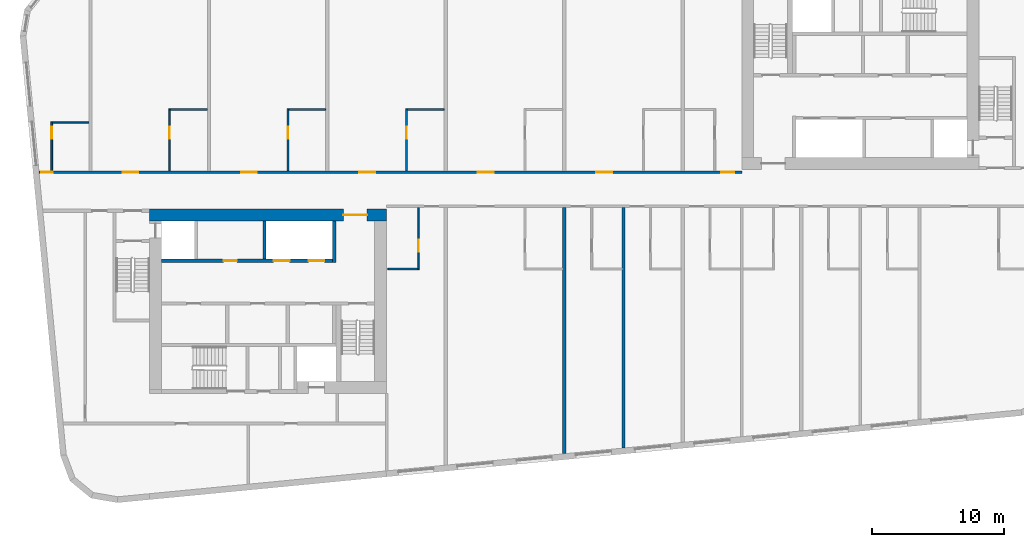
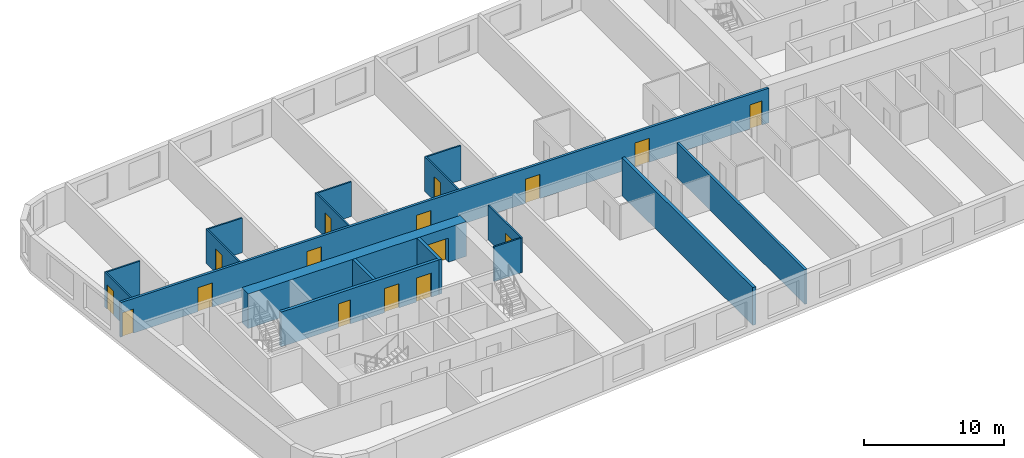
# One storey, part 3 of 11: 17 walls, 16 doors, 16 openings.
"""IFC4 building model written with IfcOpenShell, lengths in metres."""

from ifc_helpers import new_model, si_unit, direction, frame, frame_2d, origin, place, context, subcontext, project, spatial, rectangle, extrude, material, layer, layer_set, type_object, element, fill, save


model = new_model("IFC4")

# Units and contexts
model_context = context("Model", 3, precision=1e-05, world=origin(), true_north=direction((0.0, 1.0)))
body_context = subcontext(model_context, "Body", "Model", "MODEL_VIEW")
ifc_project = project(units=[si_unit("LENGTHUNIT", "METRE"), si_unit("AREAUNIT", "SQUARE_METRE"), si_unit("VOLUMEUNIT", "CUBIC_METRE"), si_unit("PLANEANGLEUNIT", "RADIAN"), si_unit("MASSUNIT", "GRAM", prefix="KILO")], contexts=[model_context])

# Site, building, storey
site_placement = place(None, origin())
site = spatial("IfcSite", under=ifc_project, at=site_placement, CompositionType="ELEMENT")
building_placement = place(site_placement, origin())
building = spatial("IfcBuilding", under=site, at=building_placement, Name="Kajstack Hotel Tower", CompositionType="ELEMENT")
storey_placement = place(building_placement, frame((0.0, 0.0, 281.699951171875)))
storey = spatial("IfcBuildingStorey", under=building, at=storey_placement, Name="L70", CompositionType="ELEMENT", Elevation=281.699951171875)

# Wall, opening, door
ifc_material_1 = material(Name="Concrete C60/75", Category="concrete")
ifc_layer_1 = layer(ifc_material_1, 0.89990234375)
ifc_layer_set_1 = layer_set([ifc_layer_1], Name="Core wall 900")
wall_type_1 = type_object("IfcWallType", Name="Core wall 900", PredefinedType="SHEAR", material=ifc_layer_set_1)
wall_1_placement = place(storey_placement, frame((-31.5, -1.949951171875, 0.0), z_axis=(0.0, 0.0, 1.0), x_axis=(1.0, 0.0, 0.0)))
wall_1 = element("IfcWall", 1, at=wall_1_placement, inside=storey, type_object=wall_type_1, Name="Core wall W RN", PredefinedType="SHEAR", context=body_context, shape_type="SweptSolid", body=[
    extrude(rectangle(XDim=18.0, YDim=0.89990234375, at=frame_2d((9.0, 0.0))), origin(), (0.0, 0.0, 1.0), 3.02001953125),
])
opening_1_placement = place(wall_1_placement, frame((14.72509765625, 0.0, 0.0)))
opening_1 = element("IfcOpeningElement", 2, at=opening_1_placement, cuts=wall_1, Name="Opening 70W05", PredefinedType="OPENING", context=body_context, shape_type="SweptSolid", body=[
    extrude(rectangle(XDim=1.800048828125, YDim=2.10009765625, at=frame_2d((0.89990234375, 1.050048828125))), frame((0.0, 0.4599609375, 0.0), z_axis=(0.0, -1.0, 0.0), x_axis=(1.0, 0.0, 0.0)), (0.0, 0.0, 1.0), 0.919921875),
])
ifc_material_2 = material(Name="Glazed steel frame, fire-rated glass", Category="steel")
door_type_1 = type_object("IfcDoorType", Name="Lobby double door 1800", OperationType="DOUBLE_DOOR_DOUBLE_SWING", PredefinedType="DOOR", material=ifc_material_2)
door_1_placement = place(opening_1_placement, origin())
door_1 = element("IfcDoor", 3, at=door_1_placement, inside=storey, type_object=door_type_1, Name="Door 70W05", OperationType="DOUBLE_DOOR_DOUBLE_SWING", OverallHeight=2.10009765625, OverallWidth=1.800048828125, PredefinedType="DOOR", context=body_context, shape_type="SweptSolid", body=[
    extrude(rectangle(XDim=1.800048828125, YDim=2.10009765625, at=frame_2d((0.89990234375, 1.050048828125))), frame((0.0, 0.02490234375, 0.0), z_axis=(0.0, -1.0, 0.0), x_axis=(1.0, 0.0, 0.0)), (0.0, 0.0, 1.0), 0.050048828125),
])
fill(opening_1, door_1)

# Wall, openings, doors
ifc_material_3 = material(Name="Gypsum board on steel studs, mineral wool", Category="steel")
ifc_layer_2 = layer(ifc_material_3, 0.199951171875)
ifc_layer_set_2 = layer_set([ifc_layer_2], Name="Corridor wall 200")
wall_type_2 = type_object("IfcWallType", Name="Corridor wall 200", PredefinedType="PARTITIONING", material=ifc_layer_set_2)
wall_2_placement = place(storey_placement, frame((-39.908935546875, 1.300048828125, 0.0), z_axis=(0.0, 0.0, 1.0), x_axis=(1.0, 0.0, 0.0)))
wall_2 = element("IfcWall", 4, at=wall_2_placement, inside=storey, type_object=wall_type_2, Name="G-wall-L70-003", PredefinedType="PARTITIONING", context=body_context, shape_type="SweptSolid", body=[
    extrude(rectangle(XDim=53.408935546875, YDim=0.199951171875, at=frame_2d((26.70458984375, 0.0))), origin(), (0.0, 0.0, 1.0), 3.02001953125),
])
opening_2_placement = place(wall_2_placement, frame((0.14990234375, 0.0, 0.0)))
opening_2 = element("IfcOpeningElement", 5, at=opening_2_placement, cuts=wall_2, Name="Opening 70001", PredefinedType="OPENING", context=body_context, shape_type="SweptSolid", body=[
    extrude(rectangle(XDim=0.89990234375, YDim=2.10009765625, at=frame_2d((0.449951171875, 1.050048828125))), frame((0.0, 0.10986328125, 0.0), z_axis=(0.0, -1.0, 0.0), x_axis=(1.0, 0.0, 0.0)), (0.0, 0.0, 1.0), 0.219970703125),
])
opening_3_placement = place(wall_2_placement, frame((6.346923828125, 0.0, 0.0)))
opening_3 = element("IfcOpeningElement", 6, at=opening_3_placement, cuts=wall_2, Name="Opening 70003", PredefinedType="OPENING", context=body_context, shape_type="SweptSolid", body=[
    extrude(rectangle(XDim=1.199951171875, YDim=2.10009765625, at=frame_2d((0.60009765625, 1.050048828125))), frame((0.0, 0.10986328125, 0.0), z_axis=(0.0, -1.0, 0.0), x_axis=(1.0, 0.0, 0.0)), (0.0, 0.0, 1.0), 0.219970703125),
])
opening_4_placement = place(wall_2_placement, frame((15.346923828125, 0.0, 0.0)))
opening_4 = element("IfcOpeningElement", 7, at=opening_4_placement, cuts=wall_2, Name="Opening 70005", PredefinedType="OPENING", context=body_context, shape_type="SweptSolid", body=[
    extrude(rectangle(XDim=1.199951171875, YDim=2.10009765625, at=frame_2d((0.60009765625, 1.050048828125))), frame((0.0, 0.10986328125, 0.0), z_axis=(0.0, -1.0, 0.0), x_axis=(1.0, 0.0, 0.0)), (0.0, 0.0, 1.0), 0.219970703125),
])
opening_5_placement = place(wall_2_placement, frame((24.345947265625, 0.0, 0.0)))
opening_5 = element("IfcOpeningElement", 8, at=opening_5_placement, cuts=wall_2, Name="Opening 70007", PredefinedType="OPENING", context=body_context, shape_type="SweptSolid", body=[
    extrude(rectangle(XDim=1.199951171875, YDim=2.10009765625, at=frame_2d((0.60009765625, 1.050048828125))), frame((0.0, 0.10986328125, 0.0), z_axis=(0.0, -1.0, 0.0), x_axis=(1.0, 0.0, 0.0)), (0.0, 0.0, 1.0), 0.219970703125),
])
opening_6_placement = place(wall_2_placement, frame((33.345947265625, 0.0, 0.0)))
opening_6 = element("IfcOpeningElement", 9, at=opening_6_placement, cuts=wall_2, Name="Opening 70009", PredefinedType="OPENING", context=body_context, shape_type="SweptSolid", body=[
    extrude(rectangle(XDim=1.199951171875, YDim=2.10009765625, at=frame_2d((0.60009765625, 1.050048828125))), frame((0.0, 0.10986328125, 0.0), z_axis=(0.0, -1.0, 0.0), x_axis=(1.0, 0.0, 0.0)), (0.0, 0.0, 1.0), 0.219970703125),
])
opening_7_placement = place(wall_2_placement, frame((42.345947265625, 0.0, 0.0)))
opening_7 = element("IfcOpeningElement", 10, at=opening_7_placement, cuts=wall_2, Name="Opening 70011", PredefinedType="OPENING", context=body_context, shape_type="SweptSolid", body=[
    extrude(rectangle(XDim=1.199951171875, YDim=2.10009765625, at=frame_2d((0.60009765625, 1.050048828125))), frame((0.0, 0.10986328125, 0.0), z_axis=(0.0, -1.0, 0.0), x_axis=(1.0, 0.0, 0.0)), (0.0, 0.0, 1.0), 0.219970703125),
])
opening_8_placement = place(wall_2_placement, frame((51.833984375, 0.0, 0.0)))
opening_8 = element("IfcOpeningElement", 11, at=opening_8_placement, cuts=wall_2, Name="Opening 70013", PredefinedType="OPENING", context=body_context, shape_type="SweptSolid", body=[
    extrude(rectangle(XDim=1.0, YDim=2.10009765625, at=frame_2d((0.5, 1.050048828125))), frame((0.0, 0.10986328125, 0.0), z_axis=(0.0, -1.0, 0.0), x_axis=(1.0, 0.0, 0.0)), (0.0, 0.0, 1.0), 0.219970703125),
])
ifc_material_4 = material(Name="Oak veneer on timber core, fire-rated leaf", Category="wood")
door_type_2 = type_object("IfcDoorType", Name="Flat entrance door 1000", OperationType="SINGLE_SWING_LEFT", PredefinedType="DOOR", material=ifc_material_4)
door_2_placement = place(opening_8_placement, origin())
door_2 = element("IfcDoor", 12, at=door_2_placement, inside=storey, type_object=door_type_2, Name="G-door-L70-13", OperationType="SINGLE_SWING_RIGHT", OverallHeight=2.10009765625, OverallWidth=1.0, PredefinedType="DOOR", context=body_context, shape_type="SweptSolid", body=[
    extrude(rectangle(XDim=1.0, YDim=2.10009765625, at=frame_2d((0.5, 1.050048828125))), frame((0.0, 0.02490234375, 0.0), z_axis=(0.0, -1.0, 0.0), x_axis=(1.0, 0.0, 0.0)), (0.0, 0.0, 1.0), 0.050048828125),
])
fill(opening_8, door_2)
door_type_3 = type_object("IfcDoorType", Name="Flat entrance door 1200", OperationType="SINGLE_SWING_LEFT", PredefinedType="DOOR", material=ifc_material_4)
door_3_placement = place(opening_3_placement, origin())
door_3 = element("IfcDoor", 13, at=door_3_placement, inside=storey, type_object=door_type_3, Name="G-door-L70-03", OperationType="SINGLE_SWING_LEFT", OverallHeight=2.10009765625, OverallWidth=1.199951171875, PredefinedType="DOOR", context=body_context, shape_type="SweptSolid", body=[
    extrude(rectangle(XDim=1.199951171875, YDim=2.10009765625, at=frame_2d((0.60009765625, 1.050048828125))), frame((0.0, 0.02490234375, 0.0), z_axis=(0.0, -1.0, 0.0), x_axis=(1.0, 0.0, 0.0)), (0.0, 0.0, 1.0), 0.050048828125),
])
fill(opening_3, door_3)
door_4_placement = place(opening_4_placement, origin())
door_4 = element("IfcDoor", 14, at=door_4_placement, inside=storey, type_object=door_type_3, Name="G-door-L70-05", OperationType="SINGLE_SWING_RIGHT", OverallHeight=2.10009765625, OverallWidth=1.199951171875, PredefinedType="DOOR", context=body_context, shape_type="SweptSolid", body=[
    extrude(rectangle(XDim=1.199951171875, YDim=2.10009765625, at=frame_2d((0.60009765625, 1.050048828125))), frame((0.0, 0.02490234375, 0.0), z_axis=(0.0, -1.0, 0.0), x_axis=(1.0, 0.0, 0.0)), (0.0, 0.0, 1.0), 0.050048828125),
])
fill(opening_4, door_4)
door_5_placement = place(opening_5_placement, origin())
door_5 = element("IfcDoor", 15, at=door_5_placement, inside=storey, type_object=door_type_3, Name="G-door-L70-07", OperationType="SINGLE_SWING_RIGHT", OverallHeight=2.10009765625, OverallWidth=1.199951171875, PredefinedType="DOOR", context=body_context, shape_type="SweptSolid", body=[
    extrude(rectangle(XDim=1.199951171875, YDim=2.10009765625, at=frame_2d((0.60009765625, 1.050048828125))), frame((0.0, 0.02490234375, 0.0), z_axis=(0.0, -1.0, 0.0), x_axis=(1.0, 0.0, 0.0)), (0.0, 0.0, 1.0), 0.050048828125),
])
fill(opening_5, door_5)
door_6_placement = place(opening_6_placement, origin())
door_6 = element("IfcDoor", 16, at=door_6_placement, inside=storey, type_object=door_type_3, Name="G-door-L70-09", OperationType="SINGLE_SWING_RIGHT", OverallHeight=2.10009765625, OverallWidth=1.199951171875, PredefinedType="DOOR", context=body_context, shape_type="SweptSolid", body=[
    extrude(rectangle(XDim=1.199951171875, YDim=2.10009765625, at=frame_2d((0.60009765625, 1.050048828125))), frame((0.0, 0.02490234375, 0.0), z_axis=(0.0, -1.0, 0.0), x_axis=(1.0, 0.0, 0.0)), (0.0, 0.0, 1.0), 0.050048828125),
])
fill(opening_6, door_6)
door_7_placement = place(opening_7_placement, origin())
door_7 = element("IfcDoor", 17, at=door_7_placement, inside=storey, type_object=door_type_3, Name="G-door-L70-11", OperationType="SINGLE_SWING_LEFT", OverallHeight=2.10009765625, OverallWidth=1.199951171875, PredefinedType="DOOR", context=body_context, shape_type="SweptSolid", body=[
    extrude(rectangle(XDim=1.199951171875, YDim=2.10009765625, at=frame_2d((0.60009765625, 1.050048828125))), frame((0.0, 0.02490234375, 0.0), z_axis=(0.0, -1.0, 0.0), x_axis=(1.0, 0.0, 0.0)), (0.0, 0.0, 1.0), 0.050048828125),
])
fill(opening_7, door_7)
ifc_material_5 = material(Name="Painted timber door leaf", Category="wood")
door_type_4 = type_object("IfcDoorType", Name="Room door 900", OperationType="SINGLE_SWING_LEFT", PredefinedType="DOOR", material=ifc_material_5)
door_8_placement = place(opening_2_placement, origin())
door_8 = element("IfcDoor", 18, at=door_8_placement, inside=storey, type_object=door_type_4, Name="G-door-L70-01", OperationType="SINGLE_SWING_LEFT", OverallHeight=2.10009765625, OverallWidth=0.89990234375, PredefinedType="DOOR", context=body_context, shape_type="SweptSolid", body=[
    extrude(rectangle(XDim=0.89990234375, YDim=2.10009765625, at=frame_2d((0.449951171875, 1.050048828125))), frame((0.0, 0.02490234375, 0.0), z_axis=(0.0, -1.0, 0.0), x_axis=(1.0, 0.0, 0.0)), (0.0, 0.0, 1.0), 0.050048828125),
])
fill(opening_2, door_8)

# Wall
ifc_material_6 = material(Name="Twin-frame gypsum board on steel studs, mineral wool", Category="steel")
ifc_layer_3 = layer(ifc_material_6, 0.199951171875)
ifc_layer_set_3 = layer_set([ifc_layer_3], Name="Demising wall 200")
wall_type_3 = type_object("IfcWallType", Name="Demising wall 200", PredefinedType="PARTITIONING", material=ifc_layer_set_3)
wall_3_placement = place(storey_placement, frame((4.5, -19.6630859375, 0.0), z_axis=(0.0, 0.0, 1.0), x_axis=(0.0, 1.0, 0.0)))
element("IfcWall", 19, at=wall_3_placement, inside=storey, type_object=wall_type_3, Name="G-wall-L70-023", PredefinedType="PARTITIONING", context=body_context, shape_type="SweptSolid", body=[
    extrude(rectangle(XDim=18.26318359375, YDim=0.199951171875, at=frame_2d((9.131591796875, 0.0))), origin(), (0.0, 0.0, 1.0), 3.02001953125),
])

# Wall, opening, door
ifc_material_7 = material(Name="Gypsum board and tiled backer on steel studs", Category="steel")
ifc_layer_4 = layer(ifc_material_7, 0.125)
ifc_layer_set_4 = layer_set([ifc_layer_4], Name="En-suite wall 125")
wall_type_4 = type_object("IfcWallType", Name="En-suite wall 125", PredefinedType="PARTITIONING", material=ifc_layer_set_4)
wall_4_placement = place(storey_placement, frame((-38.93994140625, 1.39990234375, 0.0), z_axis=(0.0, 0.0, 1.0), x_axis=(0.0, 1.0, 0.0)))
wall_4 = element("IfcWall", 20, at=wall_4_placement, inside=storey, type_object=wall_type_4, Name="G-wall-L70-004", PredefinedType="PARTITIONING", context=body_context, shape_type="SweptSolid", body=[
    extrude(rectangle(XDim=3.72509765625, YDim=0.125, at=frame_2d((1.862548828125, 0.0))), origin(), (0.0, 0.0, 1.0), 3.02001953125),
])
opening_9_placement = place(wall_4_placement, frame((2.449951171875, 0.0, 0.0)))
opening_9 = element("IfcOpeningElement", 21, at=opening_9_placement, cuts=wall_4, Name="Opening 70002", PredefinedType="OPENING", context=body_context, shape_type="SweptSolid", body=[
    extrude(rectangle(XDim=0.89990234375, YDim=2.10009765625, at=frame_2d((0.449951171875, 1.050048828125))), frame((0.0, 0.072509765625, 0.0), z_axis=(0.0, -1.0, 0.0), x_axis=(1.0, 0.0, 0.0)), (0.0, 0.0, 1.0), 0.14501953125),
])
door_9_placement = place(opening_9_placement, origin())
door_9 = element("IfcDoor", 22, at=door_9_placement, inside=storey, type_object=door_type_4, Name="G-door-L70-02", OperationType="SINGLE_SWING_RIGHT", OverallHeight=2.10009765625, OverallWidth=0.89990234375, PredefinedType="DOOR", context=body_context, shape_type="SweptSolid", body=[
    extrude(rectangle(XDim=0.89990234375, YDim=2.10009765625, at=frame_2d((0.449951171875, 1.050048828125))), frame((0.0, 0.02490234375, 0.0), z_axis=(0.0, -1.0, 0.0), x_axis=(1.0, 0.0, 0.0)), (0.0, 0.0, 1.0), 0.050048828125),
])
fill(opening_9, door_9)

# Wall
wall_5_placement = place(storey_placement, frame((-38.8779296875, 5.06201171875, 0.0), z_axis=(0.0, 0.0, 1.0), x_axis=(1.0, 0.0, 0.0)))
element("IfcWall", 23, at=wall_5_placement, inside=storey, type_object=wall_type_4, Name="G-wall-L70-005", PredefinedType="PARTITIONING", context=body_context, shape_type="SweptSolid", body=[
    extrude(rectangle(XDim=2.7529296875, YDim=0.125, at=frame_2d((1.37646484375, 0.0))), origin(), (0.0, 0.0, 1.0), 3.02001953125),
])

# Wall, opening, door
wall_6_placement = place(storey_placement, frame((-29.988037109375, 1.39990234375, 0.0), z_axis=(0.0, 0.0, 1.0), x_axis=(0.0, 1.0, 0.0)))
wall_6 = element("IfcWall", 24, at=wall_6_placement, inside=storey, type_object=wall_type_4, Name="G-wall-L70-006", PredefinedType="PARTITIONING", context=body_context, shape_type="SweptSolid", body=[
    extrude(rectangle(XDim=4.72509765625, YDim=0.125, at=frame_2d((2.362548828125, 0.0))), origin(), (0.0, 0.0, 1.0), 3.02001953125),
])
opening_10_placement = place(wall_6_placement, frame((2.449951171875, 0.0, 0.0)))
opening_10 = element("IfcOpeningElement", 25, at=opening_10_placement, cuts=wall_6, Name="Opening 70004", PredefinedType="OPENING", context=body_context, shape_type="SweptSolid", body=[
    extrude(rectangle(XDim=0.89990234375, YDim=2.10009765625, at=frame_2d((0.449951171875, 1.050048828125))), frame((0.0, 0.072509765625, 0.0), z_axis=(0.0, -1.0, 0.0), x_axis=(1.0, 0.0, 0.0)), (0.0, 0.0, 1.0), 0.14501953125),
])
door_10_placement = place(opening_10_placement, origin())
door_10 = element("IfcDoor", 26, at=door_10_placement, inside=storey, type_object=door_type_4, Name="G-door-L70-04", OperationType="SINGLE_SWING_LEFT", OverallHeight=2.10009765625, OverallWidth=0.89990234375, PredefinedType="DOOR", context=body_context, shape_type="SweptSolid", body=[
    extrude(rectangle(XDim=0.89990234375, YDim=2.10009765625, at=frame_2d((0.449951171875, 1.050048828125))), frame((0.0, 0.02490234375, 0.0), z_axis=(0.0, -1.0, 0.0), x_axis=(1.0, 0.0, 0.0)), (0.0, 0.0, 1.0), 0.050048828125),
])
fill(opening_10, door_10)

# Wall
wall_7_placement = place(storey_placement, frame((-29.925048828125, 6.06201171875, 0.0), z_axis=(0.0, 0.0, 1.0), x_axis=(1.0, 0.0, 0.0)))
element("IfcWall", 27, at=wall_7_placement, inside=storey, type_object=wall_type_4, Name="G-wall-L70-007", PredefinedType="PARTITIONING", context=body_context, shape_type="SweptSolid", body=[
    extrude(rectangle(XDim=2.800048828125, YDim=0.125, at=frame_2d((1.39990234375, 0.0))), origin(), (0.0, 0.0, 1.0), 3.02001953125),
])

# Wall, opening, door
wall_8_placement = place(storey_placement, frame((-20.988037109375, 1.39990234375, 0.0), z_axis=(0.0, 0.0, 1.0), x_axis=(0.0, 1.0, 0.0)))
wall_8 = element("IfcWall", 28, at=wall_8_placement, inside=storey, type_object=wall_type_4, Name="G-wall-L70-008", PredefinedType="PARTITIONING", context=body_context, shape_type="SweptSolid", body=[
    extrude(rectangle(XDim=4.72509765625, YDim=0.125, at=frame_2d((2.362548828125, 0.0))), origin(), (0.0, 0.0, 1.0), 3.02001953125),
])
opening_11_placement = place(wall_8_placement, frame((2.449951171875, 0.0, 0.0)))
opening_11 = element("IfcOpeningElement", 29, at=opening_11_placement, cuts=wall_8, Name="Opening 70006", PredefinedType="OPENING", context=body_context, shape_type="SweptSolid", body=[
    extrude(rectangle(XDim=0.89990234375, YDim=2.10009765625, at=frame_2d((0.449951171875, 1.050048828125))), frame((0.0, 0.072509765625, 0.0), z_axis=(0.0, -1.0, 0.0), x_axis=(1.0, 0.0, 0.0)), (0.0, 0.0, 1.0), 0.14501953125),
])
door_11_placement = place(opening_11_placement, origin())
door_11 = element("IfcDoor", 30, at=door_11_placement, inside=storey, type_object=door_type_4, Name="G-door-L70-06", OperationType="SINGLE_SWING_RIGHT", OverallHeight=2.10009765625, OverallWidth=0.89990234375, PredefinedType="DOOR", context=body_context, shape_type="SweptSolid", body=[
    extrude(rectangle(XDim=0.89990234375, YDim=2.10009765625, at=frame_2d((0.449951171875, 1.050048828125))), frame((0.0, 0.02490234375, 0.0), z_axis=(0.0, -1.0, 0.0), x_axis=(1.0, 0.0, 0.0)), (0.0, 0.0, 1.0), 0.050048828125),
])
fill(opening_11, door_11)

# Wall
wall_9_placement = place(storey_placement, frame((-20.925048828125, 6.06201171875, 0.0), z_axis=(0.0, 0.0, 1.0), x_axis=(1.0, 0.0, 0.0)))
element("IfcWall", 31, at=wall_9_placement, inside=storey, type_object=wall_type_4, Name="G-wall-L70-009", PredefinedType="PARTITIONING", context=body_context, shape_type="SweptSolid", body=[
    extrude(rectangle(XDim=2.800048828125, YDim=0.125, at=frame_2d((1.39990234375, 0.0))), origin(), (0.0, 0.0, 1.0), 3.02001953125),
])

# Wall, opening, door
wall_10_placement = place(storey_placement, frame((-11.988037109375, 1.39990234375, 0.0), z_axis=(0.0, 0.0, 1.0), x_axis=(0.0, 1.0, 0.0)))
wall_10 = element("IfcWall", 32, at=wall_10_placement, inside=storey, type_object=wall_type_4, Name="G-wall-L70-010", PredefinedType="PARTITIONING", context=body_context, shape_type="SweptSolid", body=[
    extrude(rectangle(XDim=4.72509765625, YDim=0.125, at=frame_2d((2.362548828125, 0.0))), origin(), (0.0, 0.0, 1.0), 3.02001953125),
])
opening_12_placement = place(wall_10_placement, frame((2.449951171875, 0.0, 0.0)))
opening_12 = element("IfcOpeningElement", 33, at=opening_12_placement, cuts=wall_10, Name="Opening 70008", PredefinedType="OPENING", context=body_context, shape_type="SweptSolid", body=[
    extrude(rectangle(XDim=0.89990234375, YDim=2.10009765625, at=frame_2d((0.449951171875, 1.050048828125))), frame((0.0, 0.072509765625, 0.0), z_axis=(0.0, -1.0, 0.0), x_axis=(1.0, 0.0, 0.0)), (0.0, 0.0, 1.0), 0.14501953125),
])
door_12_placement = place(opening_12_placement, origin())
door_12 = element("IfcDoor", 34, at=door_12_placement, inside=storey, type_object=door_type_4, Name="G-door-L70-08", OperationType="SINGLE_SWING_RIGHT", OverallHeight=2.10009765625, OverallWidth=0.89990234375, PredefinedType="DOOR", context=body_context, shape_type="SweptSolid", body=[
    extrude(rectangle(XDim=0.89990234375, YDim=2.10009765625, at=frame_2d((0.449951171875, 1.050048828125))), frame((0.0, 0.02490234375, 0.0), z_axis=(0.0, -1.0, 0.0), x_axis=(1.0, 0.0, 0.0)), (0.0, 0.0, 1.0), 0.050048828125),
])
fill(opening_12, door_12)

# Wall
wall_11_placement = place(storey_placement, frame((-11.925048828125, 6.06201171875, 0.0), z_axis=(0.0, 0.0, 1.0), x_axis=(1.0, 0.0, 0.0)))
element("IfcWall", 35, at=wall_11_placement, inside=storey, type_object=wall_type_4, Name="G-wall-L70-011", PredefinedType="PARTITIONING", context=body_context, shape_type="SweptSolid", body=[
    extrude(rectangle(XDim=2.800048828125, YDim=0.125, at=frame_2d((1.39990234375, 0.0))), origin(), (0.0, 0.0, 1.0), 3.02001953125),
])

# Wall, opening, door
wall_12_placement = place(storey_placement, frame((-11.087890625, -6.125, 0.0), z_axis=(0.0, 0.0, 1.0), x_axis=(0.0, 1.0, 0.0)))
wall_12 = element("IfcWall", 36, at=wall_12_placement, inside=storey, type_object=wall_type_4, Name="G-wall-L70-019", PredefinedType="PARTITIONING", context=body_context, shape_type="SweptSolid", body=[
    extrude(rectangle(XDim=4.72509765625, YDim=0.125, at=frame_2d((2.362548828125, 0.0))), origin(), (0.0, 0.0, 1.0), 3.02001953125),
])
opening_13_placement = place(wall_12_placement, frame((1.375, 0.0, 0.0)))
opening_13 = element("IfcOpeningElement", 37, at=opening_13_placement, cuts=wall_12, Name="Opening 70016", PredefinedType="OPENING", context=body_context, shape_type="SweptSolid", body=[
    extrude(rectangle(XDim=0.89990234375, YDim=2.10009765625, at=frame_2d((0.449951171875, 1.050048828125))), frame((0.0, 0.072509765625, 0.0), z_axis=(0.0, -1.0, 0.0), x_axis=(1.0, 0.0, 0.0)), (0.0, 0.0, 1.0), 0.14501953125),
])
door_13_placement = place(opening_13_placement, origin())
door_13 = element("IfcDoor", 38, at=door_13_placement, inside=storey, type_object=door_type_4, Name="G-door-L70-16", OperationType="SINGLE_SWING_LEFT", OverallHeight=2.10009765625, OverallWidth=0.89990234375, PredefinedType="DOOR", context=body_context, shape_type="SweptSolid", body=[
    extrude(rectangle(XDim=0.89990234375, YDim=2.10009765625, at=frame_2d((0.449951171875, 1.050048828125))), frame((0.0, 0.02490234375, 0.0), z_axis=(0.0, -1.0, 0.0), x_axis=(1.0, 0.0, 0.0)), (0.0, 0.0, 1.0), 0.050048828125),
])
fill(opening_13, door_13)

# Walls
wall_13_placement = place(storey_placement, frame((-13.39990234375, -6.06201171875, 0.0), z_axis=(0.0, 0.0, 1.0), x_axis=(1.0, 0.0, 0.0)))
element("IfcWall", 39, at=wall_13_placement, inside=storey, type_object=wall_type_4, Name="G-wall-L70-020", PredefinedType="PARTITIONING", context=body_context, shape_type="SweptSolid", body=[
    extrude(rectangle(XDim=2.25, YDim=0.125, at=frame_2d((1.125, 0.0))), origin(), (0.0, 0.0, 1.0), 3.02001953125),
])
ifc_material_8 = material(Name="Concrete C50/60", Category="concrete")
ifc_layer_5 = layer(ifc_material_8, 0.300048828125)
ifc_layer_set_5 = layer_set([ifc_layer_5], Name="Hoistway divider wall 300")
wall_type_5 = type_object("IfcWallType", Name="Hoistway divider wall 300", PredefinedType="SHEAR", material=ifc_layer_set_5)
wall_14_placement = place(storey_placement, frame((-22.77490234375, -5.300048828125, 0.0), z_axis=(0.0, 0.0, 1.0), x_axis=(0.0, 1.0, 0.0)))
element("IfcWall", 40, at=wall_14_placement, inside=storey, type_object=wall_type_5, Name="Core wall W AP2", PredefinedType="SHEAR", context=body_context, shape_type="SweptSolid", body=[
    extrude(rectangle(XDim=2.900146484375, YDim=0.25, at=frame_2d((1.4501953125, 0.0))), origin(), (0.0, 0.0, 1.0), 3.02001953125),
])
ifc_material_9 = material(Name="Concrete C40/50", Category="concrete")
ifc_layer_6 = layer(ifc_material_9, 0.25)
ifc_layer_set_6 = layer_set([ifc_layer_6], Name="RC cross wall 250 C40/50")
wall_type_6 = type_object("IfcWallType", Name="RC cross wall 250 C40/50", PredefinedType="SHEAR", material=ifc_layer_set_6)
wall_15_placement = place(storey_placement, frame((0.0, -20.073974609375, 0.0), z_axis=(0.0, 0.0, 1.0), x_axis=(0.0, 1.0, 0.0)))
element("IfcWall", 41, at=wall_15_placement, inside=storey, type_object=wall_type_6, Name="S-wall-L70-06", PredefinedType="SHEAR", context=body_context, shape_type="SweptSolid", body=[
    extrude(rectangle(XDim=18.674072265625, YDim=0.25, at=frame_2d((9.3369140625, 0.0))), origin(), (0.0, 0.0, 1.0), 3.300048828125),
])

# Wall, openings, doors
ifc_layer_7 = layer(ifc_material_8, 0.25)
ifc_layer_set_7 = layer_set([ifc_layer_7], Name="Shaft wall 250")
wall_type_7 = type_object("IfcWallType", Name="Shaft wall 250", PredefinedType="SHEAR", material=ifc_layer_set_7)
wall_16_placement = place(storey_placement, frame((-30.60009765625, -5.425048828125, 0.0), z_axis=(0.0, 0.0, 1.0), x_axis=(1.0, 0.0, 0.0)))
wall_16 = element("IfcWall", 42, at=wall_16_placement, inside=storey, type_object=wall_type_7, Name="Core wall W FA", PredefinedType="SHEAR", context=body_context, shape_type="SweptSolid", body=[
    extrude(rectangle(XDim=13.0, YDim=0.25, at=frame_2d((6.5, 0.0))), origin(), (0.0, 0.0, 1.0), 3.02001953125),
])
opening_14_placement = place(wall_16_placement, frame((8.52490234375, 0.0, 0.0)))
opening_14 = element("IfcOpeningElement", 43, at=opening_14_placement, cuts=wall_16, Name="Opening LD-HR1", PredefinedType="OPENING", context=body_context, shape_type="SweptSolid", body=[
    extrude(rectangle(XDim=1.199951171875, YDim=2.10009765625, at=frame_2d((0.60009765625, 1.050048828125))), frame((0.0, 0.135009765625, 0.0), z_axis=(0.0, -1.0, 0.0), x_axis=(1.0, 0.0, 0.0)), (0.0, 0.0, 1.0), 0.27001953125),
])
opening_15_placement = place(wall_16_placement, frame((11.175048828125, 0.0, 0.0)))
opening_15 = element("IfcOpeningElement", 44, at=opening_15_placement, cuts=wall_16, Name="Opening LD-HR2", PredefinedType="OPENING", context=body_context, shape_type="SweptSolid", body=[
    extrude(rectangle(XDim=1.199951171875, YDim=2.10009765625, at=frame_2d((0.60009765625, 1.050048828125))), frame((0.0, 0.135009765625, 0.0), z_axis=(0.0, -1.0, 0.0), x_axis=(1.0, 0.0, 0.0)), (0.0, 0.0, 1.0), 0.27001953125),
])
opening_16_placement = place(wall_16_placement, frame((4.72509765625, 0.0, 0.0)))
opening_16 = element("IfcOpeningElement", 45, at=opening_16_placement, cuts=wall_16, Name="Opening 70W15", PredefinedType="OPENING", context=body_context, shape_type="SweptSolid", body=[
    extrude(rectangle(XDim=1.0, YDim=2.10009765625, at=frame_2d((0.5, 1.050048828125))), frame((0.0, 0.135009765625, 0.0), z_axis=(0.0, -1.0, 0.0), x_axis=(1.0, 0.0, 0.0)), (0.0, 0.0, 1.0), 0.27001953125),
])
ifc_material_10 = material(Name="Stainless steel", Category="steel")
door_type_5 = type_object("IfcDoorType", Name="Lift landing door 1200", OperationType="SLIDING_TO_LEFT", PredefinedType="DOOR", material=ifc_material_10)
door_14_placement = place(opening_14_placement, origin())
door_14 = element("IfcDoor", 46, at=door_14_placement, inside=storey, type_object=door_type_5, Name="Landing door HR1", OperationType="SLIDING_TO_LEFT", OverallHeight=2.10009765625, OverallWidth=1.199951171875, PredefinedType="DOOR", context=body_context, shape_type="SweptSolid", body=[
    extrude(rectangle(XDim=1.199951171875, YDim=2.10009765625, at=frame_2d((0.60009765625, 1.050048828125))), frame((0.0, 0.02490234375, 0.0), z_axis=(0.0, -1.0, 0.0), x_axis=(1.0, 0.0, 0.0)), (0.0, 0.0, 1.0), 0.050048828125),
])
fill(opening_14, door_14)
door_15_placement = place(opening_15_placement, origin())
door_15 = element("IfcDoor", 47, at=door_15_placement, inside=storey, type_object=door_type_5, Name="Landing door HR2", OperationType="SLIDING_TO_RIGHT", OverallHeight=2.10009765625, OverallWidth=1.199951171875, PredefinedType="DOOR", context=body_context, shape_type="SweptSolid", body=[
    extrude(rectangle(XDim=1.199951171875, YDim=2.10009765625, at=frame_2d((0.60009765625, 1.050048828125))), frame((0.0, 0.02490234375, 0.0), z_axis=(0.0, -1.0, 0.0), x_axis=(1.0, 0.0, 0.0)), (0.0, 0.0, 1.0), 0.050048828125),
])
fill(opening_15, door_15)
ifc_material_11 = material(Name="Timber leaf, fire-rated", Category="wood")
door_type_6 = type_object("IfcDoorType", Name="Service room door 1000", OperationType="SINGLE_SWING_LEFT", PredefinedType="DOOR", material=ifc_material_11)
door_16_placement = place(opening_16_placement, origin())
door_16 = element("IfcDoor", 48, at=door_16_placement, inside=storey, type_object=door_type_6, Name="Door 70W15", OperationType="SINGLE_SWING_RIGHT", OverallHeight=2.10009765625, OverallWidth=1.0, PredefinedType="DOOR", context=body_context, shape_type="SweptSolid", body=[
    extrude(rectangle(XDim=1.0, YDim=2.10009765625, at=frame_2d((0.5, 1.050048828125))), frame((0.0, 0.02490234375, 0.0), z_axis=(0.0, -1.0, 0.0), x_axis=(1.0, 0.0, 0.0)), (0.0, 0.0, 1.0), 0.050048828125),
])
fill(opening_16, door_16)

# Wall
wall_17_placement = place(storey_placement, frame((-17.47509765625, -5.550048828125, 0.0), z_axis=(0.0, 0.0, 1.0), x_axis=(0.0, 1.0, 0.0)))
element("IfcWall", 49, at=wall_17_placement, inside=storey, type_object=wall_type_7, Name="Core wall W AE", PredefinedType="SHEAR", context=body_context, shape_type="SweptSolid", body=[
    extrude(rectangle(XDim=3.150146484375, YDim=0.25, at=frame_2d((1.5751953125, 0.0))), origin(), (0.0, 0.0, 1.0), 3.02001953125),
])

save(model, "model.ifc")
